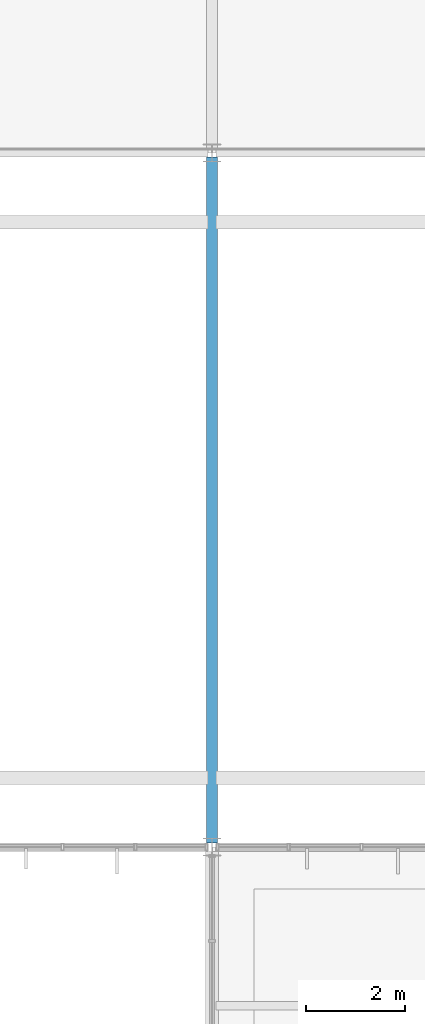
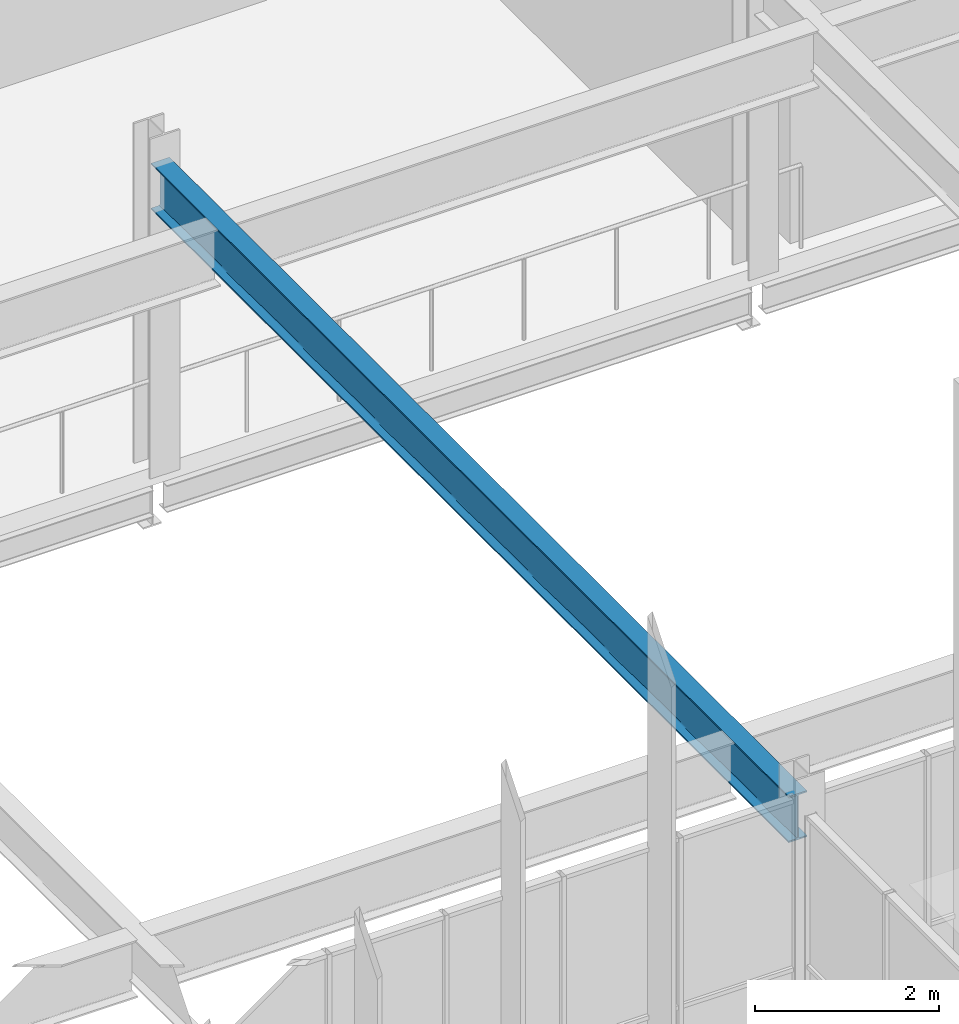
# One storey, part 179 of 324: 1 beam.
"""IFC4 building model written with IfcOpenShell, lengths in metres."""

from ifc_helpers import new_model, si_unit, direction, frame, origin, origin_2d, place, context, subcontext, project, spatial, i_section, extrude, material, material_profile, profile_set, type_object, element, save


model = new_model("IFC4")

# Units and contexts
model_context = context("Model", 3, precision=1e-05, world=origin(), true_north=direction((0.0, 1.0)))
body_context = subcontext(model_context, "Body", "Model", "MODEL_VIEW")
ifc_project = project(units=[si_unit("LENGTHUNIT", "METRE"), si_unit("AREAUNIT", "SQUARE_METRE"), si_unit("VOLUMEUNIT", "CUBIC_METRE"), si_unit("PLANEANGLEUNIT", "RADIAN"), si_unit("MASSUNIT", "GRAM", prefix="KILO")], contexts=[model_context])

# Site, building, storey
site_placement = place(None, origin())
site = spatial("IfcSite", under=ifc_project, at=site_placement, CompositionType="ELEMENT")
building_placement = place(site_placement, origin())
building = spatial("IfcBuilding", under=site, at=building_placement, Name="Solvenia Promenade Tram Depot", CompositionType="ELEMENT")
storey_placement = place(building_placement, frame((0.0, 0.0, 4.5)))
storey = spatial("IfcBuildingStorey", under=building, at=storey_placement, Name="L01", CompositionType="ELEMENT", Elevation=4.5)

# Beam
ifc_material = material(Name="Structural steel ASTM A992 Gr. 50", Category="steel")
ifc_material_profile = material_profile(ifc_material, i_section(OverallWidth=0.22900390625, OverallDepth=0.612060546875, WebThickness=0.011962890625, FlangeThickness=0.01953125, FilletRadius=0.014892578125, at=origin_2d()), Name="W610x125", Category="steel")
ifc_profile_set = profile_set([ifc_material_profile], Name="Structural steel ASTM A992 Gr. 50")
beam_type = type_object("IfcBeamType", Name="Gird-W610x125", PredefinedType="BEAM", material=ifc_profile_set)
beam_placement = place(storey_placement, frame((135.0, 24.0849609375, 3.7939453125), z_axis=(0.0, 1.0, 0.0), x_axis=(-1.0, 0.0, 0.0)))
element("IfcBeam", 1, at=beam_placement, inside=storey, type_object=beam_type, Name="Crane Hall Cross Bearer BM-L01-0910", PredefinedType="BEAM", context=body_context, shape_type="SweptSolid", body=[
    extrude(i_section(OverallWidth=0.22900390625, OverallDepth=0.612060546875, WebThickness=0.011962890625, FlangeThickness=0.01953125, FilletRadius=0.014892578125, at=origin_2d()), origin(), (0.0, 0.0, 1.0), 13.830078125),
])

save(model, "model.ifc")
